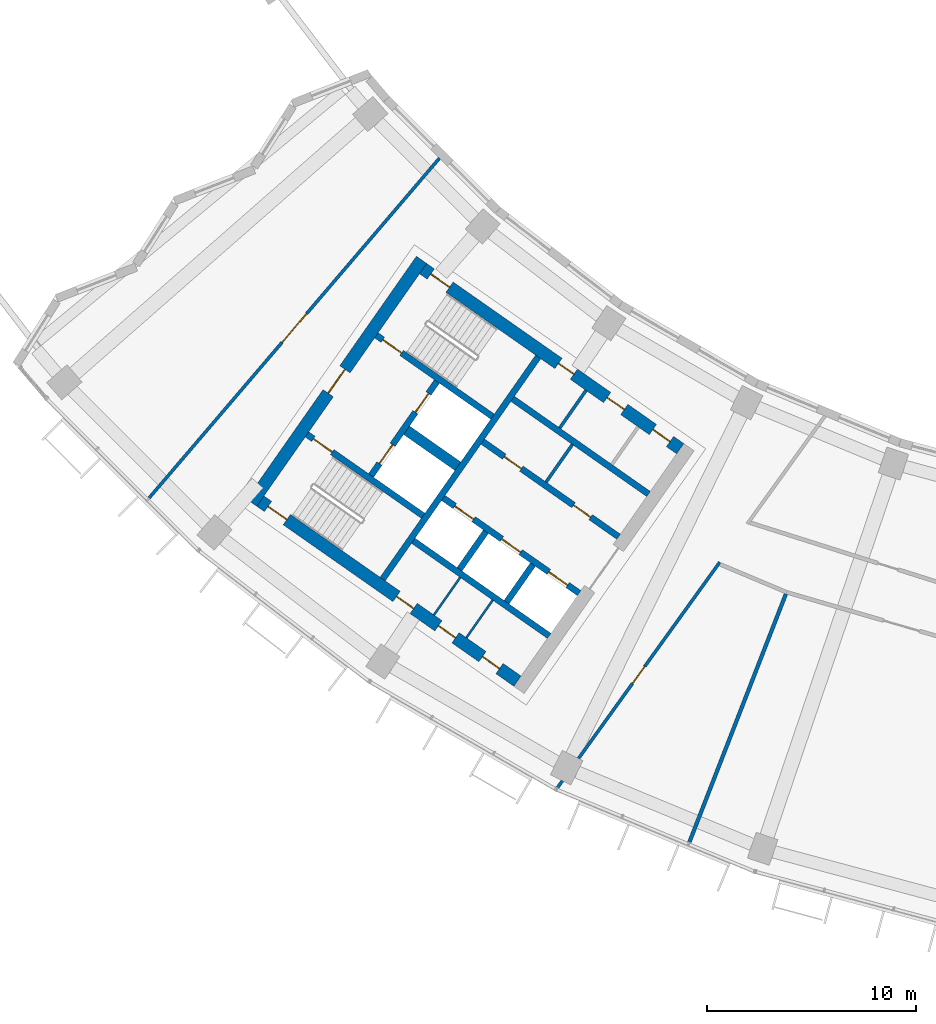
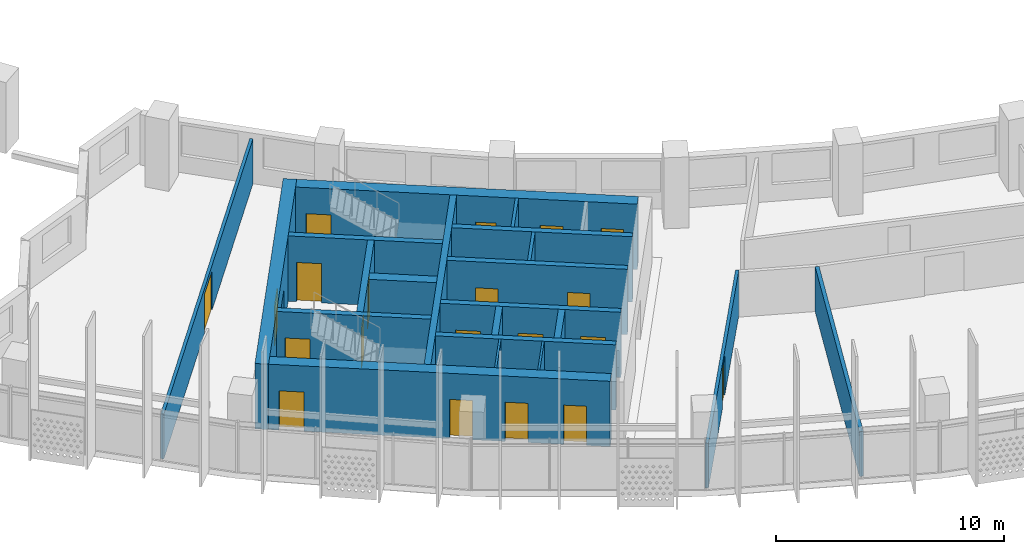
# One storey, part 3 of 27: 21 walls, 20 doors, 20 openings.
"""IFC4 building model written with IfcOpenShell, lengths in metres."""

from ifc_helpers import new_model, si_unit, direction, frame, frame_2d, origin, place, context, subcontext, project, spatial, rectangle, extrude, material, layer, layer_set, type_object, element, fill, save


model = new_model("IFC4")

# Units and contexts
model_context = context("Model", 3, precision=1e-05, world=origin(), true_north=direction((0.0, 1.0)))
body_context = subcontext(model_context, "Body", "Model", "MODEL_VIEW")
ifc_project = project(units=[si_unit("LENGTHUNIT", "METRE"), si_unit("AREAUNIT", "SQUARE_METRE"), si_unit("VOLUMEUNIT", "CUBIC_METRE"), si_unit("PLANEANGLEUNIT", "RADIAN"), si_unit("MASSUNIT", "GRAM", prefix="KILO")], contexts=[model_context])

# Site, building, storey
site_placement = place(None, origin())
site = spatial("IfcSite", under=ifc_project, at=site_placement, CompositionType="ELEMENT")
building_placement = place(site_placement, origin())
building = spatial("IfcBuilding", under=site, at=building_placement, Name="Qamariyya Broadcast Tower", CompositionType="ELEMENT")
storey_placement = place(building_placement, frame((0.0, 0.0, 164.5)))
storey = spatial("IfcBuildingStorey", under=building, at=storey_placement, Name="L38", CompositionType="ELEMENT", Elevation=164.5)

# Wall, opening, door
ifc_material_1 = material(Name="Concrete C60/75", Category="concrete")
ifc_layer_1 = layer(ifc_material_1, 0.60009765625)
ifc_layer_set_1 = layer_set([ifc_layer_1], Name="Core wall 600 mm Concrete C60/75")
wall_type_1 = type_object("IfcWallType", Name="Core wall 600 mm Concrete C60/75", PredefinedType="SHEAR", material=ifc_layer_set_1)
wall_1_placement = place(storey_placement, frame((-49.4833984375, -57.031494140625, 0.0), z_axis=(0.0, 0.0, 1.0), x_axis=(0.573560421458, 0.819163257805, 0.0)))
wall_1 = element("IfcWall", 1, at=wall_1_placement, inside=storey, type_object=wall_type_1, Name="k-W-L38-WH", PredefinedType="SHEAR", context=body_context, shape_type="SweptSolid", body=[
    extrude(rectangle(XDim=14.199951171875, YDim=0.60009765625, at=frame_2d((7.10009765625, 0.0))), origin(), (0.0, 0.0, 1.0), 3.5),
])
opening_1_placement = place(wall_1_placement, frame((6.39990234375, 0.0, 0.0)))
opening_1 = element("IfcOpeningElement", 2, at=opening_1_placement, cuts=wall_1, Name="Opening KD2-W1", PredefinedType="OPENING", context=body_context, shape_type="SweptSolid", body=[
    extrude(rectangle(XDim=1.39990234375, YDim=2.10009765625, at=frame_2d((0.699951171875, 1.050048828125))), frame((0.0, 0.31005859375, 0.0), z_axis=(0.0, -1.0, 0.0), x_axis=(1.0, 0.0, 0.0)), (0.0, 0.0, 1.0), 0.6201171875),
])
ifc_material_2 = material(Name="Steel fire-resisting door leaf", Category="steel")
door_type_1 = type_object("IfcDoorType", Name="Fire-fighting lobby door KD2", OperationType="DOUBLE_DOOR_SINGLE_SWING", PredefinedType="DOOR", material=ifc_material_2)
door_1_placement = place(opening_1_placement, origin())
door_1 = element("IfcDoor", 3, at=door_1_placement, inside=storey, type_object=door_type_1, Name="k-W-L38-WH-D15", OperationType="DOUBLE_DOOR_SINGLE_SWING", OverallHeight=2.10009765625, OverallWidth=1.39990234375, PredefinedType="DOOR", context=body_context, shape_type="SweptSolid", body=[
    extrude(rectangle(XDim=1.39990234375, YDim=2.10009765625, at=frame_2d((0.699951171875, 1.050048828125))), frame((0.0, 0.02490234375, 0.0), z_axis=(0.0, -1.0, 0.0), x_axis=(1.0, 0.0, 0.0)), (0.0, 0.0, 1.0), 0.050048828125),
])
fill(opening_1, door_1)

# Wall, openings, doors
wall_2_placement = place(storey_placement, frame((-28.940673828125, -54.447021484375, 0.0), z_axis=(0.0, 0.0, 1.0), x_axis=(-0.819153391756, 0.573574511963, 0.0)))
wall_2 = element("IfcWall", 4, at=wall_2_placement, inside=storey, type_object=wall_type_1, Name="k-W-L38-WI", PredefinedType="SHEAR", context=body_context, shape_type="SweptSolid", body=[
    extrude(rectangle(XDim=15.04541015625, YDim=0.60009765625, at=frame_2d((7.522705078125, 0.0))), origin(), (0.0, 0.0, 1.0), 3.5),
])
opening_2_placement = place(wall_2_placement, frame((0.60009765625, 0.0, 0.0)))
opening_2 = element("IfcOpeningElement", 5, at=opening_2_placement, cuts=wall_2, Name="Opening KD7-W1", PredefinedType="OPENING", context=body_context, shape_type="SweptSolid", body=[
    extrude(rectangle(XDim=1.0, YDim=2.10009765625, at=frame_2d((0.5, 1.050048828125))), frame((0.0, 0.31005859375, 0.0), z_axis=(0.0, -1.0, 0.0), x_axis=(1.0, 0.0, 0.0)), (0.0, 0.0, 1.0), 0.6201171875),
])
opening_3_placement = place(wall_2_placement, frame((3.27490234375, 0.0, 0.0)))
opening_3 = element("IfcOpeningElement", 6, at=opening_3_placement, cuts=wall_2, Name="Opening KD6-W3", PredefinedType="OPENING", context=body_context, shape_type="SweptSolid", body=[
    extrude(rectangle(XDim=1.0, YDim=2.10009765625, at=frame_2d((0.5, 1.050048828125))), frame((0.0, 0.31005859375, 0.0), z_axis=(0.0, -1.0, 0.0), x_axis=(1.0, 0.0, 0.0)), (0.0, 0.0, 1.0), 0.6201171875),
])
opening_4_placement = place(wall_2_placement, frame((6.22509765625, 0.0, 0.0)))
opening_4 = element("IfcOpeningElement", 7, at=opening_4_placement, cuts=wall_2, Name="Opening KD5-W1", PredefinedType="OPENING", context=body_context, shape_type="SweptSolid", body=[
    extrude(rectangle(XDim=0.89990234375, YDim=2.10009765625, at=frame_2d((0.449951171875, 1.050048828125))), frame((0.0, 0.31005859375, 0.0), z_axis=(0.0, -1.0, 0.0), x_axis=(1.0, 0.0, 0.0)), (0.0, 0.0, 1.0), 0.6201171875),
])
opening_5_placement = place(wall_2_placement, frame((13.495361328125, 0.0, 0.0)))
opening_5 = element("IfcOpeningElement", 8, at=opening_5_placement, cuts=wall_2, Name="Opening KD1-W1", PredefinedType="OPENING", context=body_context, shape_type="SweptSolid", body=[
    extrude(rectangle(XDim=1.10009765625, YDim=2.10009765625, at=frame_2d((0.550048828125, 1.050048828125))), frame((0.0, 0.31005859375, 0.0), z_axis=(0.0, -1.0, 0.0), x_axis=(1.0, 0.0, 0.0)), (0.0, 0.0, 1.0), 0.6201171875),
])
door_type_2 = type_object("IfcDoorType", Name="Accessible toilet door KD7", OperationType="SINGLE_SWING_LEFT", PredefinedType="DOOR", material=ifc_material_2)
door_2_placement = place(opening_2_placement, origin())
door_2 = element("IfcDoor", 9, at=door_2_placement, inside=storey, type_object=door_type_2, Name="k-W-L38-WI-D7", OperationType="SINGLE_SWING_RIGHT", OverallHeight=2.10009765625, OverallWidth=1.0, PredefinedType="DOOR", context=body_context, shape_type="SweptSolid", body=[
    extrude(rectangle(XDim=1.0, YDim=2.10009765625, at=frame_2d((0.5, 1.050048828125))), frame((0.0, 0.02490234375, 0.0), z_axis=(0.0, -1.0, 0.0), x_axis=(1.0, 0.0, 0.0)), (0.0, 0.0, 1.0), 0.050048828125),
])
fill(opening_2, door_2)
door_type_3 = type_object("IfcDoorType", Name="Core room door KD6", OperationType="SINGLE_SWING_LEFT", PredefinedType="DOOR", material=ifc_material_2)
door_3_placement = place(opening_3_placement, origin())
door_3 = element("IfcDoor", 10, at=door_3_placement, inside=storey, type_object=door_type_3, Name="k-W-L38-WI-D8", OperationType="SINGLE_SWING_LEFT", OverallHeight=2.10009765625, OverallWidth=1.0, PredefinedType="DOOR", context=body_context, shape_type="SweptSolid", body=[
    extrude(rectangle(XDim=1.0, YDim=2.10009765625, at=frame_2d((0.5, 1.050048828125))), frame((0.0, 0.02490234375, 0.0), z_axis=(0.0, -1.0, 0.0), x_axis=(1.0, 0.0, 0.0)), (0.0, 0.0, 1.0), 0.050048828125),
])
fill(opening_3, door_3)
door_type_4 = type_object("IfcDoorType", Name="Stair door KD1", OperationType="SINGLE_SWING_LEFT", PredefinedType="DOOR", material=ifc_material_2)
door_4_placement = place(opening_5_placement, origin())
door_4 = element("IfcDoor", 11, at=door_4_placement, inside=storey, type_object=door_type_4, Name="k-W-L38-WI-D16", OperationType="SINGLE_SWING_RIGHT", OverallHeight=2.10009765625, OverallWidth=1.10009765625, PredefinedType="DOOR", context=body_context, shape_type="SweptSolid", body=[
    extrude(rectangle(XDim=1.10009765625, YDim=2.10009765625, at=frame_2d((0.550048828125, 1.050048828125))), frame((0.0, 0.02490234375, 0.0), z_axis=(0.0, -1.0, 0.0), x_axis=(1.0, 0.0, 0.0)), (0.0, 0.0, 1.0), 0.050048828125),
])
fill(opening_5, door_4)
door_type_5 = type_object("IfcDoorType", Name="Toilet door KD5", OperationType="SINGLE_SWING_LEFT", PredefinedType="DOOR", material=ifc_material_2)
door_5_placement = place(opening_4_placement, origin())
door_5 = element("IfcDoor", 12, at=door_5_placement, inside=storey, type_object=door_type_5, Name="k-W-L38-WI-D9", OperationType="SINGLE_SWING_RIGHT", OverallHeight=2.10009765625, OverallWidth=0.89990234375, PredefinedType="DOOR", context=body_context, shape_type="SweptSolid", body=[
    extrude(rectangle(XDim=0.89990234375, YDim=2.10009765625, at=frame_2d((0.449951171875, 1.050048828125))), frame((0.0, 0.02490234375, 0.0), z_axis=(0.0, -1.0, 0.0), x_axis=(1.0, 0.0, 0.0)), (0.0, 0.0, 1.0), 0.050048828125),
])
fill(opening_4, door_5)

wall_3_placement = place(storey_placement, frame((-36.7412109375, -65.58740234375, 0.0), z_axis=(0.0, 0.0, 1.0), x_axis=(-0.819153391756, 0.573574511963, 0.0)))
wall_3 = element("IfcWall", 13, at=wall_3_placement, inside=storey, type_object=wall_type_1, Name="k-W-L38-WO", PredefinedType="SHEAR", context=body_context, shape_type="SweptSolid", body=[
    extrude(rectangle(XDim=15.04541015625, YDim=0.60009765625, at=frame_2d((7.522705078125, 0.0))), origin(), (0.0, 0.0, 1.0), 3.5),
])
opening_6_placement = place(wall_3_placement, frame((1.050048828125, 0.0, 0.0)))
opening_6 = element("IfcOpeningElement", 14, at=opening_6_placement, cuts=wall_3, Name="Opening KD4-W1", PredefinedType="OPENING", context=body_context, shape_type="SweptSolid", body=[
    extrude(rectangle(XDim=1.0, YDim=2.10009765625, at=frame_2d((0.5, 1.050048828125))), frame((0.0, 0.31005859375, 0.0), z_axis=(0.0, -1.0, 0.0), x_axis=(1.0, 0.0, 0.0)), (0.0, 0.0, 1.0), 0.6201171875),
])
opening_7_placement = place(wall_3_placement, frame((3.625, 0.0, 0.0)))
opening_7 = element("IfcOpeningElement", 15, at=opening_7_placement, cuts=wall_3, Name="Opening KD4-W2", PredefinedType="OPENING", context=body_context, shape_type="SweptSolid", body=[
    extrude(rectangle(XDim=1.0, YDim=2.10009765625, at=frame_2d((0.5, 1.050048828125))), frame((0.0, 0.31005859375, 0.0), z_axis=(0.0, -1.0, 0.0), x_axis=(1.0, 0.0, 0.0)), (0.0, 0.0, 1.0), 0.6201171875),
])
opening_8_placement = place(wall_3_placement, frame((6.074951171875, 0.0, 0.0)))
opening_8 = element("IfcOpeningElement", 16, at=opening_8_placement, cuts=wall_3, Name="Opening KD6-W4", PredefinedType="OPENING", context=body_context, shape_type="SweptSolid", body=[
    extrude(rectangle(XDim=1.0, YDim=2.10009765625, at=frame_2d((0.5, 1.050048828125))), frame((0.0, 0.31005859375, 0.0), z_axis=(0.0, -1.0, 0.0), x_axis=(1.0, 0.0, 0.0)), (0.0, 0.0, 1.0), 0.6201171875),
])
opening_9_placement = place(wall_3_placement, frame((13.495361328125, 0.0, 0.0)))
opening_9 = element("IfcOpeningElement", 17, at=opening_9_placement, cuts=wall_3, Name="Opening KD1-W3", PredefinedType="OPENING", context=body_context, shape_type="SweptSolid", body=[
    extrude(rectangle(XDim=1.10009765625, YDim=2.10009765625, at=frame_2d((0.550048828125, 1.050048828125))), frame((0.0, 0.31005859375, 0.0), z_axis=(0.0, -1.0, 0.0), x_axis=(1.0, 0.0, 0.0)), (0.0, 0.0, 1.0), 0.6201171875),
])
door_6_placement = place(opening_8_placement, origin())
door_6 = element("IfcDoor", 18, at=door_6_placement, inside=storey, type_object=door_type_3, Name="k-W-L38-WO-D12", OperationType="SINGLE_SWING_LEFT", OverallHeight=2.10009765625, OverallWidth=1.0, PredefinedType="DOOR", context=body_context, shape_type="SweptSolid", body=[
    extrude(rectangle(XDim=1.0, YDim=2.10009765625, at=frame_2d((0.5, 1.050048828125))), frame((0.0, 0.02490234375, 0.0), z_axis=(0.0, -1.0, 0.0), x_axis=(1.0, 0.0, 0.0)), (0.0, 0.0, 1.0), 0.050048828125),
])
fill(opening_8, door_6)
door_type_6 = type_object("IfcDoorType", Name="Riser and plant door KD4", OperationType="SINGLE_SWING_LEFT", PredefinedType="DOOR", material=ifc_material_2)
door_7_placement = place(opening_6_placement, origin())
door_7 = element("IfcDoor", 19, at=door_7_placement, inside=storey, type_object=door_type_6, Name="k-W-L38-WO-D10", OperationType="SINGLE_SWING_LEFT", OverallHeight=2.10009765625, OverallWidth=1.0, PredefinedType="DOOR", context=body_context, shape_type="SweptSolid", body=[
    extrude(rectangle(XDim=1.0, YDim=2.10009765625, at=frame_2d((0.5, 1.050048828125))), frame((0.0, 0.02490234375, 0.0), z_axis=(0.0, -1.0, 0.0), x_axis=(1.0, 0.0, 0.0)), (0.0, 0.0, 1.0), 0.050048828125),
])
fill(opening_6, door_7)
door_8_placement = place(opening_7_placement, origin())
door_8 = element("IfcDoor", 20, at=door_8_placement, inside=storey, type_object=door_type_6, Name="k-W-L38-WO-D11", OperationType="SINGLE_SWING_RIGHT", OverallHeight=2.10009765625, OverallWidth=1.0, PredefinedType="DOOR", context=body_context, shape_type="SweptSolid", body=[
    extrude(rectangle(XDim=1.0, YDim=2.10009765625, at=frame_2d((0.5, 1.050048828125))), frame((0.0, 0.02490234375, 0.0), z_axis=(0.0, -1.0, 0.0), x_axis=(1.0, 0.0, 0.0)), (0.0, 0.0, 1.0), 0.050048828125),
])
fill(opening_7, door_8)
door_9_placement = place(opening_9_placement, origin())
door_9 = element("IfcDoor", 21, at=door_9_placement, inside=storey, type_object=door_type_4, Name="k-W-L38-WO-D18", OperationType="SINGLE_SWING_LEFT", OverallHeight=2.10009765625, OverallWidth=1.10009765625, PredefinedType="DOOR", context=body_context, shape_type="SweptSolid", body=[
    extrude(rectangle(XDim=1.10009765625, YDim=2.10009765625, at=frame_2d((0.550048828125, 1.050048828125))), frame((0.0, 0.02490234375, 0.0), z_axis=(0.0, -1.0, 0.0), x_axis=(1.0, 0.0, 0.0)), (0.0, 0.0, 1.0), 0.050048828125),
])
fill(opening_9, door_9)

# Wall, opening, door
ifc_material_3 = material(Name="Gypsum board partition")
ifc_layer_2 = layer(ifc_material_3, 0.14990234375)
ifc_layer_set_2 = layer_set([ifc_layer_2], Name="Corridor partition 150 EI 60")
wall_type_2 = type_object("IfcWallType", Name="Corridor partition 150 EI 60", PredefinedType="PARTITIONING", material=ifc_layer_set_2)
wall_4_placement = place(storey_placement, frame((-54.39404296875, -56.8076171875, 0.0), z_axis=(0.0, 0.0, 1.0), x_axis=(0.649633284071, 0.760247720303, 0.0)))
wall_4 = element("IfcWall", 22, at=wall_4_placement, inside=storey, type_object=wall_type_2, Name="Partition L38-001", PredefinedType="PARTITIONING", context=body_context, shape_type="SweptSolid", body=[
    extrude(rectangle(XDim=21.420166015625, YDim=0.14990234375, at=frame_2d((10.7099609375, 0.0))), origin(), (0.0, 0.0, 1.0), 2.39990234375),
])
opening_10_placement = place(wall_4_placement, frame((9.81005859375, 0.0, 0.0)))
opening_10 = element("IfcOpeningElement", 23, at=opening_10_placement, cuts=wall_4, Name="Opening L38-D13", PredefinedType="OPENING", context=body_context, shape_type="SweptSolid", body=[
    extrude(rectangle(XDim=1.800048828125, YDim=2.10009765625, at=frame_2d((0.89990234375, 1.050048828125))), frame((0.0, 0.0849609375, 0.0), z_axis=(0.0, -1.0, 0.0), x_axis=(1.0, 0.0, 0.0)), (0.0, 0.0, 1.0), 0.169921875),
])
ifc_material_4 = material(Name="Timber fire door leaf", Category="wood")
door_type_7 = type_object("IfcDoorType", Name="Double fire door 1800 x 2100 FD60", OperationType="NOTDEFINED", PredefinedType="DOOR", material=ifc_material_4)
door_10_placement = place(opening_10_placement, origin())
door_10 = element("IfcDoor", 24, at=door_10_placement, inside=storey, type_object=door_type_7, Name="Door L38-D13", OperationType="DOUBLE_DOOR_SINGLE_SWING", OverallHeight=2.10009765625, OverallWidth=1.800048828125, PredefinedType="DOOR", context=body_context, shape_type="SweptSolid", body=[
    extrude(rectangle(XDim=1.800048828125, YDim=2.10009765625, at=frame_2d((0.89990234375, 1.050048828125))), frame((0.0, 0.02490234375, 0.0), z_axis=(0.0, -1.0, 0.0), x_axis=(1.0, 0.0, 0.0)), (0.0, 0.0, 1.0), 0.050048828125),
])
fill(opening_10, door_10)

wall_5_placement = place(storey_placement, frame((-27.048095703125, -59.886962890625, 0.0), z_axis=(0.0, 0.0, 1.0), x_axis=(-0.584166530414, -0.811633824298, 0.0)))
wall_5 = element("IfcWall", 25, at=wall_5_placement, inside=storey, type_object=wall_type_2, Name="Partition L38-003", PredefinedType="PARTITIONING", context=body_context, shape_type="SweptSolid", body=[
    extrude(rectangle(XDim=13.31103515625, YDim=0.14990234375, at=frame_2d((6.655517578125, 0.0))), origin(), (0.0, 0.0, 1.0), 2.39990234375),
])
opening_11_placement = place(wall_5_placement, frame((6.155517578125, 0.0, 0.0)))
opening_11 = element("IfcOpeningElement", 26, at=opening_11_placement, cuts=wall_5, Name="Opening L38-D01", PredefinedType="OPENING", context=body_context, shape_type="SweptSolid", body=[
    extrude(rectangle(XDim=1.0, YDim=2.10009765625, at=frame_2d((0.5, 1.050048828125))), frame((0.0, 0.0849609375, 0.0), z_axis=(0.0, -1.0, 0.0), x_axis=(1.0, 0.0, 0.0)), (0.0, 0.0, 1.0), 0.169921875),
])
door_type_8 = type_object("IfcDoorType", Name="Fire door 1000 x 2100 FD60", OperationType="NOTDEFINED", PredefinedType="DOOR", material=ifc_material_4)
door_11_placement = place(opening_11_placement, origin())
door_11 = element("IfcDoor", 27, at=door_11_placement, inside=storey, type_object=door_type_8, Name="Door L38-D01", OperationType="SINGLE_SWING_RIGHT", OverallHeight=2.10009765625, OverallWidth=1.0, PredefinedType="DOOR", context=body_context, shape_type="SweptSolid", body=[
    extrude(rectangle(XDim=1.0, YDim=2.10009765625, at=frame_2d((0.5, 1.050048828125))), frame((0.0, 0.02490234375, 0.0), z_axis=(0.0, -1.0, 0.0), x_axis=(1.0, 0.0, 0.0)), (0.0, 0.0, 1.0), 0.050048828125),
])
fill(opening_11, door_11)

# Walls
ifc_layer_3 = layer(ifc_material_1, 0.5)
ifc_layer_set_3 = layer_set([ifc_layer_3], Name="Fire-fighting lobby divider wall 500 mm Concrete C60/75")
wall_type_3 = type_object("IfcWallType", Name="Fire-fighting lobby divider wall 500 mm Concrete C60/75", PredefinedType="SOLIDWALL", material=ifc_layer_set_3)
wall_6_placement = place(storey_placement, frame((-39.59912109375, -55.28515625, 0.0), z_axis=(0.0, 0.0, 1.0), x_axis=(-0.819136323161, 0.573598887793, 0.0)))
element("IfcWall", 28, at=wall_6_placement, inside=storey, type_object=wall_type_3, Name="k-W-L38-FD", PredefinedType="SOLIDWALL", context=body_context, shape_type="SweptSolid", body=[
    extrude(rectangle(XDim=2.999755859375, YDim=0.5, at=frame_2d((1.5, 0.0))), origin(), (0.0, 0.0, 1.0), 3.5),
])
ifc_material_5 = material(Name="Gypsum board partition on steel studs", Category="steel")
ifc_layer_4 = layer(ifc_material_5, 0.14990234375)
ifc_layer_set_4 = layer_set([ifc_layer_4], Name="Gypsum board partition 150 mm")
wall_type_4 = type_object("IfcWallType", Name="Gypsum board partition 150 mm", PredefinedType="PARTITIONING", material=ifc_layer_set_4)
wall_7_placement = place(storey_placement, frame((-35.371826171875, -56.047607421875, 0.0), z_axis=(0.0, 0.0, 1.0), x_axis=(0.573559170999, 0.819164133348, 0.0)))
element("IfcWall", 29, at=wall_7_placement, inside=storey, type_object=wall_type_4, Name="k-W-L38-NC435", PredefinedType="PARTITIONING", context=body_context, shape_type="SweptSolid", body=[
    extrude(rectangle(XDim=2.19970703125, YDim=0.14990234375, at=frame_2d((1.099853515625, 0.0))), origin(), (0.0, 0.0, 1.0), 3.5),
])
wall_8_placement = place(storey_placement, frame((-34.716064453125, -53.454833984375, 0.0), z_axis=(0.0, 0.0, 1.0), x_axis=(0.573507030513, 0.819200638399, 0.0)))
element("IfcWall", 30, at=wall_8_placement, inside=storey, type_object=wall_type_4, Name="k-W-L38-NP530", PredefinedType="PARTITIONING", context=body_context, shape_type="SweptSolid", body=[
    extrude(rectangle(XDim=2.199951171875, YDim=0.14990234375, at=frame_2d((1.10009765625, 0.0))), origin(), (0.0, 0.0, 1.0), 3.5),
])
ifc_layer_5 = layer(ifc_material_1, 0.300048828125)
ifc_layer_set_5 = layer_set([ifc_layer_5], Name="Lift shaft wall 300 mm Concrete C60/75")
wall_type_5 = type_object("IfcWallType", Name="Lift shaft wall 300 mm Concrete C60/75", PredefinedType="SOLIDWALL", material=ifc_layer_set_5)
wall_9_placement = place(storey_placement, frame((-43.204345703125, -60.69580078125, 0.0), z_axis=(0.0, 0.0, 1.0), x_axis=(0.573571992966, 0.819155155563, 0.0)))
element("IfcWall", 31, at=wall_9_placement, inside=storey, type_object=wall_type_5, Name="k-W-L38-WL", PredefinedType="SOLIDWALL", context=body_context, shape_type="SweptSolid", body=[
    extrude(rectangle(XDim=13.000244140625, YDim=0.300048828125, at=frame_2d((6.5, 0.0))), origin(), (0.0, 0.0, 1.0), 3.5),
])

# Wall, openings, doors
wall_10_placement = place(storey_placement, frame((-31.89453125, -58.66552734375, 0.0), z_axis=(0.0, 0.0, 1.0), x_axis=(-0.819166993208, 0.573555086491, 0.0)))
wall_10 = element("IfcWall", 32, at=wall_10_placement, inside=storey, type_object=wall_type_5, Name="k-W-L38-NF0", PredefinedType="SOLIDWALL", context=body_context, shape_type="SweptSolid", body=[
    extrude(rectangle(XDim=7.9501953125, YDim=0.300048828125, at=frame_2d((3.97509765625, 0.0))), origin(), (0.0, 0.0, 1.0), 3.5),
])
opening_12_placement = place(wall_10_placement, frame((1.637451171875, 0.0, 0.0)))
opening_12 = element("IfcOpeningElement", 33, at=opening_12_placement, cuts=wall_10, Name="Opening KD6-W1", PredefinedType="OPENING", context=body_context, shape_type="SweptSolid", body=[
    extrude(rectangle(XDim=1.0, YDim=2.10009765625, at=frame_2d((0.5, 1.050048828125))), frame((0.0, 0.159912109375, 0.0), z_axis=(0.0, -1.0, 0.0), x_axis=(1.0, 0.0, 0.0)), (0.0, 0.0, 1.0), 0.320068359375),
])
opening_13_placement = place(wall_10_placement, frame((5.6875, 0.0, 0.0)))
opening_13 = element("IfcOpeningElement", 34, at=opening_13_placement, cuts=wall_10, Name="Opening KD6-W2", PredefinedType="OPENING", context=body_context, shape_type="SweptSolid", body=[
    extrude(rectangle(XDim=1.0, YDim=2.10009765625, at=frame_2d((0.5, 1.050048828125))), frame((0.0, 0.159912109375, 0.0), z_axis=(0.0, -1.0, 0.0), x_axis=(1.0, 0.0, 0.0)), (0.0, 0.0, 1.0), 0.320068359375),
])
door_12_placement = place(opening_12_placement, origin())
door_12 = element("IfcDoor", 35, at=door_12_placement, inside=storey, type_object=door_type_3, Name="k-W-L38-NF0-D2", OperationType="SINGLE_SWING_LEFT", OverallHeight=2.10009765625, OverallWidth=1.0, PredefinedType="DOOR", context=body_context, shape_type="SweptSolid", body=[
    extrude(rectangle(XDim=1.0, YDim=2.10009765625, at=frame_2d((0.5, 1.050048828125))), frame((0.0, 0.02490234375, 0.0), z_axis=(0.0, -1.0, 0.0), x_axis=(1.0, 0.0, 0.0)), (0.0, 0.0, 1.0), 0.050048828125),
])
fill(opening_12, door_12)
door_13_placement = place(opening_13_placement, origin())
door_13 = element("IfcDoor", 36, at=door_13_placement, inside=storey, type_object=door_type_3, Name="k-W-L38-NF0-D3", OperationType="SINGLE_SWING_RIGHT", OverallHeight=2.10009765625, OverallWidth=1.0, PredefinedType="DOOR", context=body_context, shape_type="SweptSolid", body=[
    extrude(rectangle(XDim=1.0, YDim=2.10009765625, at=frame_2d((0.5, 1.050048828125))), frame((0.0, 0.02490234375, 0.0), z_axis=(0.0, -1.0, 0.0), x_axis=(1.0, 0.0, 0.0)), (0.0, 0.0, 1.0), 0.050048828125),
])
fill(opening_13, door_13)

# Wall
wall_11_placement = place(storey_placement, frame((-30.460693359375, -56.61767578125, 0.0), z_axis=(0.0, 0.0, 1.0), x_axis=(-0.819142461705, 0.573590121456, 0.0)))
element("IfcWall", 37, at=wall_11_placement, inside=storey, type_object=wall_type_5, Name="k-W-L38-NB0", PredefinedType="SOLIDWALL", context=body_context, shape_type="SweptSolid", body=[
    extrude(rectangle(XDim=7.949951171875, YDim=0.300048828125, at=frame_2d((3.97509765625, 0.0))), origin(), (0.0, 0.0, 1.0), 3.5),
])

# Wall, openings, doors
wall_12_placement = place(storey_placement, frame((-33.787353515625, -61.368896484375, 0.0), z_axis=(0.0, 0.0, 1.0), x_axis=(-0.819152564888, 0.573575692858, 0.0)))
wall_12 = element("IfcWall", 38, at=wall_12_placement, inside=storey, type_object=wall_type_5, Name="k-W-L38-SF0", PredefinedType="SOLIDWALL", context=body_context, shape_type="SweptSolid", body=[
    extrude(rectangle(XDim=7.9501953125, YDim=0.300048828125, at=frame_2d((3.97509765625, 0.0))), origin(), (0.0, 0.0, 1.0), 3.5),
])
opening_14_placement = place(wall_12_placement, frame((0.675048828125, 0.0, 0.0)))
opening_14 = element("IfcOpeningElement", 39, at=opening_14_placement, cuts=wall_12, Name="Opening LD", PredefinedType="OPENING", context=body_context, shape_type="SweptSolid", body=[
    extrude(rectangle(XDim=1.10009765625, YDim=2.10009765625, at=frame_2d((0.550048828125, 1.050048828125))), frame((0.0, 0.159912109375, 0.0), z_axis=(0.0, -1.0, 0.0), x_axis=(1.0, 0.0, 0.0)), (0.0, 0.0, 1.0), 0.320068359375),
])
opening_15_placement = place(wall_12_placement, frame((3.425048828125, 0.0, 0.0)))
opening_15 = element("IfcOpeningElement", 40, at=opening_15_placement, cuts=wall_12, Name="Opening LD", PredefinedType="OPENING", context=body_context, shape_type="SweptSolid", body=[
    extrude(rectangle(XDim=1.10009765625, YDim=2.10009765625, at=frame_2d((0.550048828125, 1.050048828125))), frame((0.0, 0.159912109375, 0.0), z_axis=(0.0, -1.0, 0.0), x_axis=(1.0, 0.0, 0.0)), (0.0, 0.0, 1.0), 0.320068359375),
])
opening_16_placement = place(wall_12_placement, frame((6.175048828125, 0.0, 0.0)))
opening_16 = element("IfcOpeningElement", 41, at=opening_16_placement, cuts=wall_12, Name="Opening LD", PredefinedType="OPENING", context=body_context, shape_type="SweptSolid", body=[
    extrude(rectangle(XDim=1.10009765625, YDim=2.10009765625, at=frame_2d((0.550048828125, 1.050048828125))), frame((0.0, 0.159912109375, 0.0), z_axis=(0.0, -1.0, 0.0), x_axis=(1.0, 0.0, 0.0)), (0.0, 0.0, 1.0), 0.320068359375),
])
door_type_9 = type_object("IfcDoorType", Name="Lift landing door LD", OperationType="DOUBLE_DOOR_SLIDING", PredefinedType="DOOR", material=ifc_material_2)
door_14_placement = place(opening_14_placement, origin())
door_14 = element("IfcDoor", 42, at=door_14_placement, inside=storey, type_object=door_type_9, Name="k-W-L38-SF0-D4", OperationType="DOUBLE_DOOR_SLIDING", OverallHeight=2.10009765625, OverallWidth=1.10009765625, PredefinedType="DOOR", context=body_context, shape_type="SweptSolid", body=[
    extrude(rectangle(XDim=1.10009765625, YDim=2.10009765625, at=frame_2d((0.550048828125, 1.050048828125))), frame((0.0, 0.02490234375, 0.0), z_axis=(0.0, -1.0, 0.0), x_axis=(1.0, 0.0, 0.0)), (0.0, 0.0, 1.0), 0.050048828125),
])
fill(opening_14, door_14)
door_15_placement = place(opening_15_placement, origin())
door_15 = element("IfcDoor", 43, at=door_15_placement, inside=storey, type_object=door_type_9, Name="k-W-L38-SF0-D5", OperationType="DOUBLE_DOOR_SLIDING", OverallHeight=2.10009765625, OverallWidth=1.10009765625, PredefinedType="DOOR", context=body_context, shape_type="SweptSolid", body=[
    extrude(rectangle(XDim=1.10009765625, YDim=2.10009765625, at=frame_2d((0.550048828125, 1.050048828125))), frame((0.0, 0.02490234375, 0.0), z_axis=(0.0, -1.0, 0.0), x_axis=(1.0, 0.0, 0.0)), (0.0, 0.0, 1.0), 0.050048828125),
])
fill(opening_15, door_15)
door_16_placement = place(opening_16_placement, origin())
door_16 = element("IfcDoor", 44, at=door_16_placement, inside=storey, type_object=door_type_9, Name="k-W-L38-SF0-D6", OperationType="DOUBLE_DOOR_SLIDING", OverallHeight=2.10009765625, OverallWidth=1.10009765625, PredefinedType="DOOR", context=body_context, shape_type="SweptSolid", body=[
    extrude(rectangle(XDim=1.10009765625, YDim=2.10009765625, at=frame_2d((0.550048828125, 1.050048828125))), frame((0.0, 0.02490234375, 0.0), z_axis=(0.0, -1.0, 0.0), x_axis=(1.0, 0.0, 0.0)), (0.0, 0.0, 1.0), 0.050048828125),
])
fill(opening_16, door_16)

# Walls
wall_13_placement = place(storey_placement, frame((-35.22119140625, -63.41650390625, 0.0), z_axis=(0.0, 0.0, 1.0), x_axis=(-0.819166993208, 0.573555086491, 0.0)))
element("IfcWall", 45, at=wall_13_placement, inside=storey, type_object=wall_type_5, Name="k-W-L38-SB0", PredefinedType="SOLIDWALL", context=body_context, shape_type="SweptSolid", body=[
    extrude(rectangle(XDim=7.9501953125, YDim=0.300048828125, at=frame_2d((3.97509765625, 0.0))), origin(), (0.0, 0.0, 1.0), 3.5),
])
wall_14_placement = place(storey_placement, frame((-36.003173828125, -60.000244140625, 0.0), z_axis=(0.0, 0.0, 1.0), x_axis=(-0.573581496053, -0.819148501424, 0.0)))
element("IfcWall", 46, at=wall_14_placement, inside=storey, type_object=wall_type_5, Name="k-W-L38-SD0", PredefinedType="SOLIDWALL", context=body_context, shape_type="SweptSolid", body=[
    extrude(rectangle(XDim=2.2001953125, YDim=0.300048828125, at=frame_2d((1.10009765625, 0.0))), origin(), (0.0, 0.0, 1.0), 3.5),
])
wall_15_placement = place(storey_placement, frame((-38.255859375, -58.423095703125, 0.0), z_axis=(0.0, 0.0, 1.0), x_axis=(-0.573633636671, -0.819111989218, 0.0)))
element("IfcWall", 47, at=wall_15_placement, inside=storey, type_object=wall_type_5, Name="k-W-L38-SD1", PredefinedType="SOLIDWALL", context=body_context, shape_type="SweptSolid", body=[
    extrude(rectangle(XDim=2.199951171875, YDim=0.300048828125, at=frame_2d((1.10009765625, 0.0))), origin(), (0.0, 0.0, 1.0), 3.5),
])

# Wall, opening, door
wall_16_placement = place(storey_placement, frame((-37.935546875, -52.90966796875, 0.0), z_axis=(0.0, 0.0, 1.0), x_axis=(-0.819147518138, 0.57358290031, 0.0)))
wall_16 = element("IfcWall", 48, at=wall_16_placement, inside=storey, type_object=wall_type_5, Name="k-W-L38-NW", PredefinedType="SOLIDWALL", context=body_context, shape_type="SweptSolid", body=[
    extrude(rectangle(XDim=6.79541015625, YDim=0.300048828125, at=frame_2d((3.397705078125, 0.0))), origin(), (0.0, 0.0, 1.0), 3.5),
])
opening_17_placement = place(wall_16_placement, frame((5.3203125, 0.0, 0.0)))
opening_17 = element("IfcOpeningElement", 49, at=opening_17_placement, cuts=wall_16, Name="Opening KD1-W2", PredefinedType="OPENING", context=body_context, shape_type="SweptSolid", body=[
    extrude(rectangle(XDim=1.10009765625, YDim=2.10009765625, at=frame_2d((0.550048828125, 1.050048828125))), frame((0.0, 0.159912109375, 0.0), z_axis=(0.0, -1.0, 0.0), x_axis=(1.0, 0.0, 0.0)), (0.0, 0.0, 1.0), 0.320068359375),
])
door_17_placement = place(opening_17_placement, origin())
door_17 = element("IfcDoor", 50, at=door_17_placement, inside=storey, type_object=door_type_4, Name="k-W-L38-NW-D17", OperationType="SINGLE_SWING_RIGHT", OverallHeight=2.10009765625, OverallWidth=1.10009765625, PredefinedType="DOOR", context=body_context, shape_type="SweptSolid", body=[
    extrude(rectangle(XDim=1.10009765625, YDim=2.10009765625, at=frame_2d((0.550048828125, 1.050048828125))), frame((0.0, 0.02490234375, 0.0), z_axis=(0.0, -1.0, 0.0), x_axis=(1.0, 0.0, 0.0)), (0.0, 0.0, 1.0), 0.050048828125),
])
fill(opening_17, door_17)

wall_17_placement = place(storey_placement, frame((-41.262451171875, -57.66064453125, 0.0), z_axis=(0.0, 0.0, 1.0), x_axis=(-0.819164398642, 0.573558792102, 0.0)))
wall_17 = element("IfcWall", 51, at=wall_17_placement, inside=storey, type_object=wall_type_5, Name="k-W-L38-SW", PredefinedType="SOLIDWALL", context=body_context, shape_type="SweptSolid", body=[
    extrude(rectangle(XDim=6.795166015625, YDim=0.300048828125, at=frame_2d((3.3974609375, 0.0))), origin(), (0.0, 0.0, 1.0), 3.5),
])
opening_18_placement = place(wall_17_placement, frame((5.3203125, 0.0, 0.0)))
opening_18 = element("IfcOpeningElement", 52, at=opening_18_placement, cuts=wall_17, Name="Opening KD1-W4", PredefinedType="OPENING", context=body_context, shape_type="SweptSolid", body=[
    extrude(rectangle(XDim=1.10009765625, YDim=2.10009765625, at=frame_2d((0.550048828125, 1.050048828125))), frame((0.0, 0.159912109375, 0.0), z_axis=(0.0, -1.0, 0.0), x_axis=(1.0, 0.0, 0.0)), (0.0, 0.0, 1.0), 0.320068359375),
])
door_18_placement = place(opening_18_placement, origin())
door_18 = element("IfcDoor", 53, at=door_18_placement, inside=storey, type_object=door_type_4, Name="k-W-L38-SW-D19", OperationType="SINGLE_SWING_RIGHT", OverallHeight=2.10009765625, OverallWidth=1.10009765625, PredefinedType="DOOR", context=body_context, shape_type="SweptSolid", body=[
    extrude(rectangle(XDim=1.10009765625, YDim=2.10009765625, at=frame_2d((0.550048828125, 1.050048828125))), frame((0.0, 0.02490234375, 0.0), z_axis=(0.0, -1.0, 0.0), x_axis=(1.0, 0.0, 0.0)), (0.0, 0.0, 1.0), 0.050048828125),
])
fill(opening_18, door_18)

# Wall, openings, doors
wall_18_placement = place(storey_placement, frame((-43.756591796875, -55.731201171875, 0.0), z_axis=(0.0, 0.0, 1.0), x_axis=(0.573536818435, 0.819179783625, 0.0)))
wall_18 = element("IfcWall", 54, at=wall_18_placement, inside=storey, type_object=wall_type_5, Name="k-W-L38-FF", PredefinedType="SOLIDWALL", context=body_context, shape_type="SweptSolid", body=[
    extrude(rectangle(XDim=5.500244140625, YDim=0.300048828125, at=frame_2d((2.75, 0.0))), origin(), (0.0, 0.0, 1.0), 3.5),
])
opening_19_placement = place(wall_18_placement, frame((0.699951171875, 0.0, 0.0)))
opening_19 = element("IfcOpeningElement", 55, at=opening_19_placement, cuts=wall_18, Name="Opening LD", PredefinedType="OPENING", context=body_context, shape_type="SweptSolid", body=[
    extrude(rectangle(XDim=1.10009765625, YDim=2.10009765625, at=frame_2d((0.550048828125, 1.050048828125))), frame((0.0, 0.159912109375, 0.0), z_axis=(0.0, -1.0, 0.0), x_axis=(1.0, 0.0, 0.0)), (0.0, 0.0, 1.0), 0.320068359375),
])
opening_20_placement = place(wall_18_placement, frame((3.699951171875, 0.0, 0.0)))
opening_20 = element("IfcOpeningElement", 56, at=opening_20_placement, cuts=wall_18, Name="Opening LD", PredefinedType="OPENING", context=body_context, shape_type="SweptSolid", body=[
    extrude(rectangle(XDim=1.10009765625, YDim=2.10009765625, at=frame_2d((0.550048828125, 1.050048828125))), frame((0.0, 0.159912109375, 0.0), z_axis=(0.0, -1.0, 0.0), x_axis=(1.0, 0.0, 0.0)), (0.0, 0.0, 1.0), 0.320068359375),
])
door_19_placement = place(opening_19_placement, origin())
door_19 = element("IfcDoor", 57, at=door_19_placement, inside=storey, type_object=door_type_9, Name="k-W-L38-FF-D13", OperationType="DOUBLE_DOOR_SLIDING", OverallHeight=2.10009765625, OverallWidth=1.10009765625, PredefinedType="DOOR", context=body_context, shape_type="SweptSolid", body=[
    extrude(rectangle(XDim=1.10009765625, YDim=2.10009765625, at=frame_2d((0.550048828125, 1.050048828125))), frame((0.0, 0.02490234375, 0.0), z_axis=(0.0, -1.0, 0.0), x_axis=(1.0, 0.0, 0.0)), (0.0, 0.0, 1.0), 0.050048828125),
])
fill(opening_19, door_19)
door_20_placement = place(opening_20_placement, origin())
door_20 = element("IfcDoor", 58, at=door_20_placement, inside=storey, type_object=door_type_9, Name="k-W-L38-FF-D14", OperationType="DOUBLE_DOOR_SLIDING", OverallHeight=2.10009765625, OverallWidth=1.10009765625, PredefinedType="DOOR", context=body_context, shape_type="SweptSolid", body=[
    extrude(rectangle(XDim=1.10009765625, YDim=2.10009765625, at=frame_2d((0.550048828125, 1.050048828125))), frame((0.0, 0.02490234375, 0.0), z_axis=(0.0, -1.0, 0.0), x_axis=(1.0, 0.0, 0.0)), (0.0, 0.0, 1.0), 0.050048828125),
])
fill(opening_20, door_20)

# Walls
ifc_material_6 = material(Name="Fire-rated gypsum shaft liner on steel studs", Category="steel")
ifc_layer_6 = layer(ifc_material_6, 0.10009765625)
ifc_layer_set_6 = layer_set([ifc_layer_6], Name="Riser wall 100 mm")
wall_type_6 = type_object("IfcWallType", Name="Riser wall 100 mm", PredefinedType="PLUMBINGWALL", material=ifc_layer_set_6)
wall_19_placement = place(storey_placement, frame((-37.9287109375, -61.7041015625, 0.0), z_axis=(0.0, 0.0, 1.0), x_axis=(-0.573559170999, -0.819164133348, 0.0)))
element("IfcWall", 59, at=wall_19_placement, inside=storey, type_object=wall_type_6, Name="k-W-L38-SP320", PredefinedType="PLUMBINGWALL", context=body_context, shape_type="SweptSolid", body=[
    extrude(rectangle(XDim=2.19970703125, YDim=0.10009765625, at=frame_2d((1.099853515625, 0.0))), origin(), (0.0, 0.0, 1.0), 3.5),
])
wall_20_placement = place(storey_placement, frame((-39.485107421875, -60.6142578125, 0.0), z_axis=(0.0, 0.0, 1.0), x_axis=(-0.573507030513, -0.819200638399, 0.0)))
element("IfcWall", 60, at=wall_20_placement, inside=storey, type_object=wall_type_6, Name="k-W-L38-SP510", PredefinedType="PLUMBINGWALL", context=body_context, shape_type="SweptSolid", body=[
    extrude(rectangle(XDim=2.199951171875, YDim=0.10009765625, at=frame_2d((1.10009765625, 0.0))), origin(), (0.0, 0.0, 1.0), 3.5),
])
ifc_layer_7 = layer(ifc_material_3, 0.179931640625)
ifc_layer_set_7 = layer_set([ifc_layer_7], Name="Studio acoustic partition 180 EI 60")
wall_type_7 = type_object("IfcWallType", Name="Studio acoustic partition 180 EI 60", PredefinedType="PARTITIONING", material=ifc_layer_set_7)
wall_21_placement = place(storey_placement, frame((-28.503662109375, -73.302978515625, 0.0), z_axis=(0.0, 0.0, 1.0), x_axis=(0.362410250658, 0.932018674822, 0.0)))
element("IfcWall", 61, at=wall_21_placement, inside=storey, type_object=wall_type_7, Name="Partition L38-002", PredefinedType="PARTITIONING", context=body_context, shape_type="SweptSolid", body=[
    extrude(rectangle(XDim=12.759765625, YDim=0.179931640625, at=frame_2d((6.3798828125, 0.0))), origin(), (0.0, 0.0, 1.0), 2.39990234375),
])

save(model, "model.ifc")
